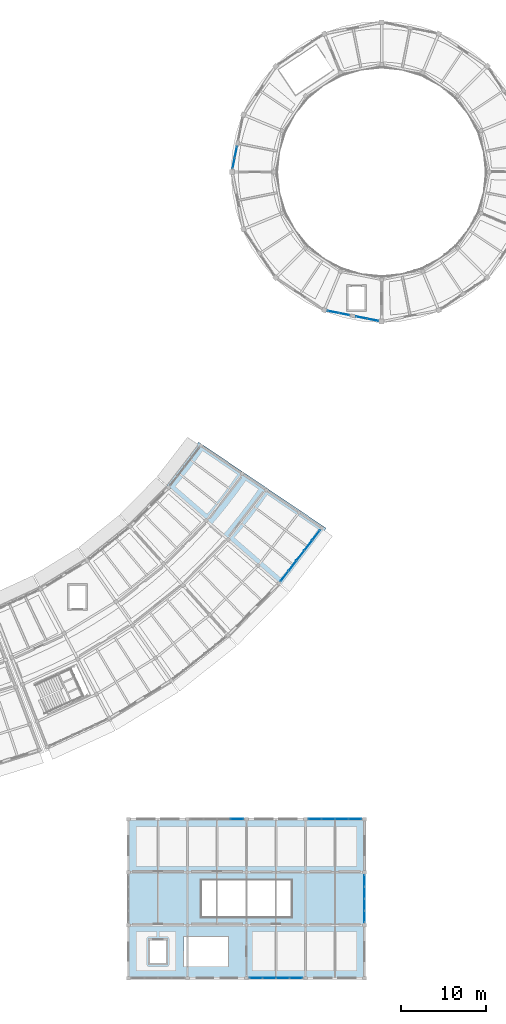
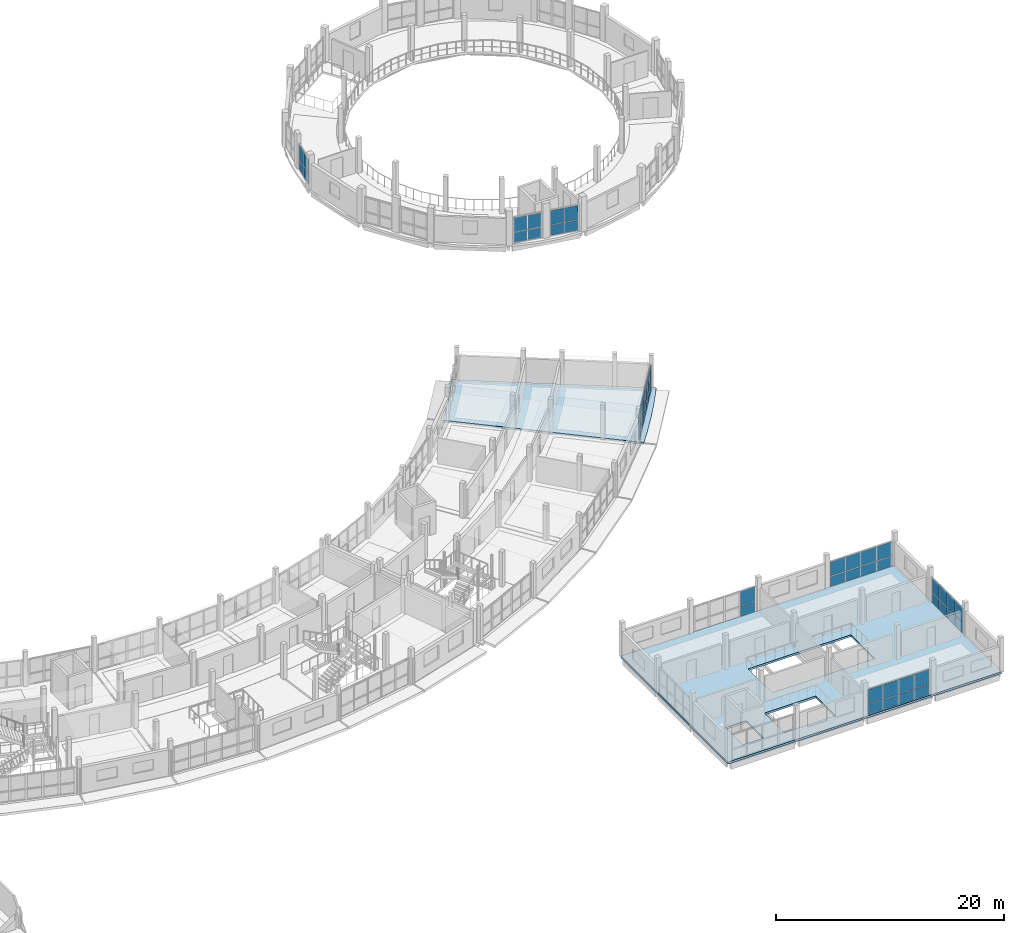
# One storey, part 52 of 77: 48 plates, 2 slabs, 8 elements without a shape of their own.
"""IFC4 building model written with IfcOpenShell, lengths in metres."""

import ifcopenshell
import ifcopenshell.guid

model = None  # the IFC model being written
_history = None  # IfcOwnerHistory: only IFC2X3 demands one
_inside = {}  # id of a spatial element -> (the spatial element, [elements in it])
_under = {}  # id of a project, library or spatial element -> (it, [spatial elements below it])
_declared = {}  # id of a project -> (the project, [libraries it declares])
_typed = {}  # id of a type object -> (the type object, [elements of that type])
_made_of = {}  # id of a material, layer set ... -> (it, [elements and type objects made of it])


def new_model(schema):
    """Start an empty IFC model of exactly this schema.

    Asked for "IFC4X3", IfcOpenShell would pick the latest addendum, in which some entities
    have other attributes; the version numbers below select the first issue.
    IFC2X3 requires an IfcOwnerHistory on every rooted entity: one is made here for all.
    """
    global model, _history
    if schema == "IFC4X3":
        model = ifcopenshell.file(schema_version=(4, 3, 0, 0))
    else:
        model = ifcopenshell.file(schema=schema)
    _inside.clear()
    _under.clear()
    _declared.clear()
    _typed.clear()
    _made_of.clear()
    _history = None
    if model.schema == "IFC2X3":
        org = make("IfcOrganization", Name="unknown")
        user = make(
            "IfcPersonAndOrganization",
            ThePerson=make("IfcPerson", FamilyName="unknown"),
            TheOrganization=org,
        )
        app = make(
            "IfcApplication",
            ApplicationDeveloper=org,
            Version="unknown",
            ApplicationFullName="unknown",
            ApplicationIdentifier="unknown",
        )
        _history = make(
            "IfcOwnerHistory",
            OwningUser=user,
            OwningApplication=app,
            ChangeAction="ADDED",
            CreationDate=0,
        )
    return model


def make(cls, **values):
    """One entity of the class cls with the attributes given. An attribute that is None is left unset."""
    return model.create_entity(
        cls, **{name: value for name, value in values.items() if value is not None}
    )


def rooted(cls, **values):
    """An entity with a GlobalId (a new one), such as an element, a storey or a relation."""
    return make(cls, GlobalId=ifcopenshell.guid.new(), OwnerHistory=_history, **values)


def si_unit(unit_type, name, prefix=None):
    """IfcSIUnit, for example si_unit("LENGTHUNIT", "METRE", prefix="MILLI")."""
    return make("IfcSIUnit", UnitType=unit_type, Prefix=prefix, Name=name)


def assignment(units):
    """IfcUnitAssignment: the units of a project."""
    return None if units is None else make("IfcUnitAssignment", Units=units)


def point(xyz):
    """IfcCartesianPoint."""
    return None if xyz is None else make("IfcCartesianPoint", Coordinates=xyz)


def direction(xyz):
    """IfcDirection."""
    return None if xyz is None else make("IfcDirection", DirectionRatios=xyz)


def frame(location, z_axis=None, x_axis=None):
    """IfcAxis2Placement3D, a coordinate frame: its origin and axes. An axis left out is left unset."""
    return make(
        "IfcAxis2Placement3D",
        Location=point(location),
        Axis=direction(z_axis),
        RefDirection=direction(x_axis),
    )


def frame_2d(location, x_axis=None):
    """IfcAxis2Placement2D, a coordinate frame in the plane: its origin and x axis."""
    return make(
        "IfcAxis2Placement2D", Location=point(location), RefDirection=direction(x_axis)
    )


def origin():
    """The frame at (0, 0, 0) with its axes left unset."""
    return frame((0.0, 0.0, 0.0))


def origin_2d():
    """The frame at (0, 0) in the plane with its x axis left unset."""
    return frame_2d((0.0, 0.0))


def place(relative_to, where):
    """IfcLocalPlacement: puts the frame where relative to a parent placement (None: the world)."""
    return make(
        "IfcLocalPlacement", PlacementRelTo=relative_to, RelativePlacement=where
    )


def context(
    kind, dimensions, precision=None, world=None, true_north=None, identifier=None
):
    """IfcGeometricRepresentationContext, for example the 3D "Model" context."""
    return make(
        "IfcGeometricRepresentationContext",
        ContextIdentifier=identifier,
        ContextType=kind,
        CoordinateSpaceDimension=dimensions,
        Precision=precision,
        WorldCoordinateSystem=world,
        TrueNorth=true_north,
    )


def subcontext(parent, identifier, kind, view, scale=None):
    """IfcGeometricRepresentationSubContext, for example "Body" below "Model"."""
    return make(
        "IfcGeometricRepresentationSubContext",
        ContextIdentifier=identifier,
        ContextType=kind,
        ParentContext=parent,
        TargetScale=scale,
        TargetView=view,
    )


def project(units=None, contexts=None):
    """IfcProject with its units and contexts."""
    return rooted(
        "IfcProject",
        Name="project",
        RepresentationContexts=contexts,
        UnitsInContext=assignment(units),
    )


def spatial(cls, under=None, at=None, **own):
    """A site, building, storey or space (cls), placed at a placement, below another one or the project."""
    s = rooted(cls, ObjectPlacement=at, **own)
    if under is not None:
        _under.setdefault(under.id(), (under, []))[1].append(s)
    return s


def polyline(points):
    """IfcPolyline through the points."""
    return make("IfcPolyline", Points=[point(p) for p in points])


def profile(cls, at=None, kind="AREA", **sizes):
    """A parametric profile (cls). Its sizes go by their IFC names, for example OverallWidth=200.0."""
    return make(cls, ProfileType=kind, Position=at, **sizes)


def rectangle(**sizes):
    """IfcRectangleProfileDef."""
    return profile("IfcRectangleProfileDef", **sizes)


def outline(outer, holes=None, kind="AREA"):
    """IfcArbitraryClosedProfileDef: a profile drawn as a closed curve; with holes, ...WithVoids."""
    if holes is None:
        return make("IfcArbitraryClosedProfileDef", ProfileType=kind, OuterCurve=outer)
    return make(
        "IfcArbitraryProfileDefWithVoids",
        ProfileType=kind,
        OuterCurve=outer,
        InnerCurves=holes,
    )


def extrude(swept, where, along, depth):
    """IfcExtrudedAreaSolid: the profile swept, set in the frame where, extruded along a direction by depth."""
    return make(
        "IfcExtrudedAreaSolid",
        SweptArea=swept,
        Position=where,
        ExtrudedDirection=direction(along),
        Depth=depth,
    )


def shape(context_of_items, identifier, shape_type, items):
    """IfcShapeRepresentation: the items that make up one representation, for example the "Body"."""
    return make(
        "IfcShapeRepresentation",
        ContextOfItems=context_of_items,
        RepresentationIdentifier=identifier,
        RepresentationType=shape_type,
        Items=items,
    )


def material(Name=None, Category=None):
    """IfcMaterial."""
    return make("IfcMaterial", Name=Name, Category=Category)


def layer(
    of_material, thickness, ventilated=None, Name=None, Category=None, Priority=None
):
    """IfcMaterialLayer: one layer of a wall or slab, of a material (None: an air gap)."""
    return make(
        "IfcMaterialLayer",
        Material=of_material,
        LayerThickness=thickness,
        IsVentilated=ventilated,
        Name=Name,
        Category=Category,
        Priority=Priority,
    )


def layer_set(layers, Name=None):
    """IfcMaterialLayerSet."""
    return make("IfcMaterialLayerSet", MaterialLayers=layers, LayerSetName=Name)


def made_of(thing, what):
    """Note that an element or type object is made of a material, layer set ...; save() writes the relation."""
    if what is not None:
        _made_of.setdefault(what.id(), (what, []))[1].append(thing)
    return thing


def type_object(cls, material=None, **own):
    """A type object (cls), such as IfcWallType, which elements share."""
    return made_of(rooted(cls, **own), material)


def element(
    cls,
    number,
    at=None,
    inside=None,
    cuts=None,
    type_object=None,
    material=None,
    context=None,
    identifier="Body",
    shape_type=None,
    held_by="IfcProductDefinitionShape",
    body=None,
    shapes=None,
    **own,
):
    """One element of the class cls, such as IfcWall. Its Tag is "e" and its number.

    at: its placement. inside: the storey or other place that contains it. cuts: it is an
    opening in that element (IfcRelVoidsElement). A single representation is given by context,
    identifier, shape_type and body (its items); several are given by shapes. held_by: the class
    of the entity that holds the representations. save() writes the other relations.
    """
    e = rooted(cls, Tag="e%d" % number, ObjectPlacement=at, **own)
    if body is not None:
        shapes = [shape(context, identifier, shape_type, body)]
    if shapes is not None:
        e.Representation = make(held_by, Representations=shapes)
    if inside is not None:
        _inside.setdefault(inside.id(), (inside, []))[1].append(e)
    if cuts is not None:
        rooted(
            "IfcRelVoidsElement", RelatingBuildingElement=cuts, RelatedOpeningElement=e
        )
    if type_object is not None:
        _typed.setdefault(type_object.id(), (type_object, []))[1].append(e)
    return made_of(e, material)


def aggregate(whole, parts):
    """IfcRelAggregates: a whole, such as a stair, and the parts it consists of."""
    return rooted("IfcRelAggregates", RelatingObject=whole, RelatedObjects=parts)


def save(model, path):
    """Write the relations noted so far, then the file.

    IfcRelAggregates (storeys below a building ...), IfcRelContainedInSpatialStructure (elements
    in a storey), IfcRelDefinesByType, IfcRelAssociatesMaterial and IfcRelDeclares: one each for
    every whole, place, type object, material and project.
    """
    for whole, parts in _under.values():
        aggregate(whole, parts)
    for where, things in _inside.values():
        rooted(
            "IfcRelContainedInSpatialStructure",
            RelatedElements=things,
            RelatingStructure=where,
        )
    for kind, things in _typed.values():
        rooted("IfcRelDefinesByType", RelatedObjects=things, RelatingType=kind)
    for what, things in _made_of.values():
        rooted("IfcRelAssociatesMaterial", RelatedObjects=things, RelatingMaterial=what)
    for by, libraries in _declared.values():
        rooted("IfcRelDeclares", RelatingContext=by, RelatedDefinitions=libraries)
    model.write(path)


model = new_model("IFC4")

# Units and contexts
model_context = context("Model", 3, precision=1e-05, world=origin(), true_north=direction((0.0, 1.0)))
body_context = subcontext(model_context, "Body", "Model", "MODEL_VIEW")
ifc_project = project(units=[si_unit("LENGTHUNIT", "METRE"), si_unit("AREAUNIT", "SQUARE_METRE"), si_unit("VOLUMEUNIT", "CUBIC_METRE"), si_unit("PLANEANGLEUNIT", "RADIAN"), si_unit("MASSUNIT", "GRAM", prefix="KILO")], contexts=[model_context])

# Site, building, storey
site_placement = place(None, origin())
site = spatial("IfcSite", under=ifc_project, at=site_placement, CompositionType="ELEMENT")
building_placement = place(site_placement, origin())
building = spatial("IfcBuilding", under=site, at=building_placement, Name="Caldaven Crescent School", CompositionType="ELEMENT")
storey_placement = place(building_placement, frame((0.0, 0.0, 4.419921875)))
storey = spatial("IfcBuildingStorey", under=building, at=storey_placement, Name="L01", CompositionType="ELEMENT", Elevation=4.419921875)

# Curtain wall, plates
ifc_material_1 = material(Name="Anodised aluminium AA 6063-T6 and low-E double glazing", Category="aluminium")
ifc_layer_1 = layer(ifc_material_1, 0.169921875)
ifc_layer_set_1 = layer_set([ifc_layer_1], Name="Anodised aluminium AA 6063-T6 and low-E double glazing")
curtain_wall_type_1 = type_object("IfcCurtainWallType", Name="CW-SYS1", PredefinedType="NOTDEFINED", material=ifc_layer_set_1)
curtain_wall_1_placement = place(storey_placement, origin())
curtain_wall_1 = element("IfcCurtainWall", 1, at=curtain_wall_1_placement, inside=storey, type_object=curtain_wall_type_1, Name="CW-L01-024", PredefinedType="NOTDEFINED")
ifc_material_2 = material(Name="Tempered low-E double glazing IGU", Category="glass")
ifc_layer_2 = layer(ifc_material_2, 0.02587890625)
ifc_layer_set_2 = layer_set([ifc_layer_2], Name="Tempered low-E double glazing IGU")
plate_type_1 = type_object("IfcPlateType", Name="PLT-CWP01", PredefinedType="CURTAIN_PANEL", material=ifc_layer_set_2)
plate_1_placement = place(storey_placement, frame((135.4609375, 100.817626953125, 0.06494140625), z_axis=(0.0, 0.0, 1.0), x_axis=(-0.195090276825, -0.980785289392, 0.0)))
plate_1 = element("IfcPlate", 2, at=plate_1_placement, type_object=plate_type_1, Name="CW1 panel 1.1", PredefinedType="CURTAIN_PANEL", context=body_context, shape_type="SweptSolid", body=[
    extrude(rectangle(XDim=1.241943359375, YDim=0.02587890625, at=origin_2d()), origin(), (0.0, 0.0, 1.0), 1.070556640625),
])
plate_2_placement = place(storey_placement, frame((135.4609375, 100.817626953125, 1.20068359375), z_axis=(0.0, 0.0, 1.0), x_axis=(-0.195090276825, -0.980785289392, 0.0)))
plate_2 = element("IfcPlate", 3, at=plate_2_placement, type_object=plate_type_1, Name="CW1 panel 1.2", PredefinedType="CURTAIN_PANEL", context=body_context, shape_type="SweptSolid", body=[
    extrude(rectangle(XDim=1.241943359375, YDim=0.02587890625, at=origin_2d()), origin(), (0.0, 0.0, 1.0), 1.514404296875),
])
plate_3_placement = place(storey_placement, frame((135.205078125, 99.53076171875, 0.06494140625), z_axis=(0.0, 0.0, 1.0), x_axis=(-0.195090276825, -0.980785289392, 0.0)))
plate_3 = element("IfcPlate", 4, at=plate_3_placement, type_object=plate_type_1, Name="CW1 panel 2.1", PredefinedType="CURTAIN_PANEL", context=body_context, shape_type="SweptSolid", body=[
    extrude(rectangle(XDim=1.241943359375, YDim=0.02587890625, at=origin_2d()), origin(), (0.0, 0.0, 1.0), 1.070556640625),
])
plate_4_placement = place(storey_placement, frame((135.205078125, 99.53076171875, 1.20068359375), z_axis=(0.0, 0.0, 1.0), x_axis=(-0.195090276825, -0.980785289392, 0.0)))
plate_4 = element("IfcPlate", 5, at=plate_4_placement, type_object=plate_type_1, Name="CW1 panel 2.2", PredefinedType="CURTAIN_PANEL", context=body_context, shape_type="SweptSolid", body=[
    extrude(rectangle(XDim=1.241943359375, YDim=0.02587890625, at=origin_2d()), origin(), (0.0, 0.0, 1.0), 1.514404296875),
])
aggregate(curtain_wall_1, [plate_1, plate_2, plate_3, plate_4])

ifc_layer_3 = layer(ifc_material_1, 0.22998046875)
ifc_layer_set_3 = layer_set([ifc_layer_3], Name="Anodised aluminium AA 6063-T6 and low-E double glazing")
curtain_wall_type_2 = type_object("IfcCurtainWallType", Name="CW-SYS4", PredefinedType="NOTDEFINED", material=ifc_layer_set_3)
curtain_wall_2_placement = place(storey_placement, origin())
curtain_wall_2 = element("IfcCurtainWall", 6, at=curtain_wall_2_placement, inside=storey, type_object=curtain_wall_type_2, Name="CW-L01-027", PredefinedType="NOTDEFINED")
ifc_layer_4 = layer(ifc_material_2, 0.031982421875)
ifc_layer_set_4 = layer_set([ifc_layer_4], Name="Tempered low-E double glazing IGU")
plate_type_2 = type_object("IfcPlateType", Name="PLT-CWP04", PredefinedType="CURTAIN_PANEL", material=ifc_layer_set_4)
plate_5_placement = place(storey_placement, frame((146.833984375, 82.126953125, 0.070068359375), z_axis=(0.0, 0.0, 1.0), x_axis=(0.980785289392, -0.195090276825, 0.0)))
plate_5 = element("IfcPlate", 7, at=plate_5_placement, type_object=plate_type_2, Name="CW4 panel 1.1", PredefinedType="CURTAIN_PANEL", context=body_context, shape_type="SweptSolid", body=[
    extrude(rectangle(XDim=1.241943359375, YDim=0.031982421875, at=origin_2d()), origin(), (0.0, 0.0, 1.0), 1.06298828125),
])
plate_6_placement = place(storey_placement, frame((146.833984375, 82.126953125, 1.203125), z_axis=(0.0, 0.0, 1.0), x_axis=(0.980785289392, -0.195090276825, 0.0)))
plate_6 = element("IfcPlate", 8, at=plate_6_placement, type_object=plate_type_2, Name="CW4 panel 1.2", PredefinedType="CURTAIN_PANEL", context=body_context, shape_type="SweptSolid", body=[
    extrude(rectangle(XDim=1.241943359375, YDim=0.031982421875, at=origin_2d()), origin(), (0.0, 0.0, 1.0), 1.507080078125),
])
plate_7_placement = place(storey_placement, frame((148.12060546875, 81.87109375, 0.070068359375), z_axis=(0.0, 0.0, 1.0), x_axis=(0.980785289392, -0.195090276825, 0.0)))
plate_7 = element("IfcPlate", 9, at=plate_7_placement, type_object=plate_type_2, Name="CW4 panel 2.1", PredefinedType="CURTAIN_PANEL", context=body_context, shape_type="SweptSolid", body=[
    extrude(rectangle(XDim=1.241943359375, YDim=0.031982421875, at=origin_2d()), origin(), (0.0, 0.0, 1.0), 1.06298828125),
])
plate_8_placement = place(storey_placement, frame((148.12060546875, 81.87109375, 1.203125), z_axis=(0.0, 0.0, 1.0), x_axis=(0.980785289392, -0.195090276825, 0.0)))
plate_8 = element("IfcPlate", 10, at=plate_8_placement, type_object=plate_type_2, Name="CW4 panel 2.2", PredefinedType="CURTAIN_PANEL", context=body_context, shape_type="SweptSolid", body=[
    extrude(rectangle(XDim=1.241943359375, YDim=0.031982421875, at=origin_2d()), origin(), (0.0, 0.0, 1.0), 1.507080078125),
])
aggregate(curtain_wall_2, [plate_5, plate_6, plate_7, plate_8])

curtain_wall_3_placement = place(storey_placement, origin())
curtain_wall_3 = element("IfcCurtainWall", 11, at=curtain_wall_3_placement, inside=storey, type_object=curtain_wall_type_1, Name="CW-L01-028", PredefinedType="NOTDEFINED")
ifc_layer_5 = layer(ifc_material_2, 0.033935546875)
ifc_layer_set_5 = layer_set([ifc_layer_5], Name="Tempered low-E double glazing IGU")
plate_type_3 = type_object("IfcPlateType", Name="PLT-CWP05", PredefinedType="CURTAIN_PANEL", material=ifc_layer_set_5)
plate_9_placement = place(storey_placement, frame((150.179931640625, 81.46142578125, 0.06005859375), z_axis=(0.0, 0.0, 1.0), x_axis=(0.980785289392, -0.195090276825, 0.0)))
plate_9 = element("IfcPlate", 12, at=plate_9_placement, type_object=plate_type_3, Name="CW1 panel 1.1", PredefinedType="CURTAIN_PANEL", context=body_context, shape_type="SweptSolid", body=[
    extrude(rectangle(XDim=1.257080078125, YDim=0.033935546875, at=origin_2d()), origin(), (0.0, 0.0, 1.0), 1.077880859375),
])
plate_10_placement = place(storey_placement, frame((150.179931640625, 81.46142578125, 1.197998046875), z_axis=(0.0, 0.0, 1.0), x_axis=(0.980785289392, -0.195090276825, 0.0)))
plate_10 = element("IfcPlate", 13, at=plate_10_placement, type_object=plate_type_3, Name="CW1 panel 1.2", PredefinedType="CURTAIN_PANEL", context=body_context, shape_type="SweptSolid", body=[
    extrude(rectangle(XDim=1.257080078125, YDim=0.033935546875, at=origin_2d()), origin(), (0.0, 0.0, 1.0), 1.52197265625),
])
plate_11_placement = place(storey_placement, frame((151.4716796875, 81.20458984375, 0.06005859375), z_axis=(0.0, 0.0, 1.0), x_axis=(0.980785289392, -0.195090276825, 0.0)))
plate_11 = element("IfcPlate", 14, at=plate_11_placement, type_object=plate_type_3, Name="CW1 panel 2.1", PredefinedType="CURTAIN_PANEL", context=body_context, shape_type="SweptSolid", body=[
    extrude(rectangle(XDim=1.257080078125, YDim=0.033935546875, at=origin_2d()), origin(), (0.0, 0.0, 1.0), 1.077880859375),
])
plate_12_placement = place(storey_placement, frame((151.4716796875, 81.20458984375, 1.197998046875), z_axis=(0.0, 0.0, 1.0), x_axis=(0.980785289392, -0.195090276825, 0.0)))
plate_12 = element("IfcPlate", 15, at=plate_12_placement, type_object=plate_type_3, Name="CW1 panel 2.2", PredefinedType="CURTAIN_PANEL", context=body_context, shape_type="SweptSolid", body=[
    extrude(rectangle(XDim=1.257080078125, YDim=0.033935546875, at=origin_2d()), origin(), (0.0, 0.0, 1.0), 1.52197265625),
])
aggregate(curtain_wall_3, [plate_9, plate_10, plate_11, plate_12])

ifc_layer_6 = layer(ifc_material_1, 0.2099609375)
ifc_layer_set_6 = layer_set([ifc_layer_6], Name="Anodised aluminium AA 6063-T6 and low-E double glazing")
curtain_wall_type_3 = type_object("IfcCurtainWallType", Name="CW-SYS3", PredefinedType="NOTDEFINED", material=ifc_layer_set_6)
curtain_wall_4_placement = place(storey_placement, origin())
curtain_wall_4 = element("IfcCurtainWall", 16, at=curtain_wall_4_placement, inside=storey, type_object=curtain_wall_type_3, Name="CW-L01-085", PredefinedType="NOTDEFINED")
ifc_layer_7 = layer(ifc_material_2, 0.052001953125)
ifc_layer_set_7 = layer_set([ifc_layer_7], Name="Tempered low-E double glazing IGU")
plate_type_4 = type_object("IfcPlateType", Name="PLT-CWP14", PredefinedType="CURTAIN_PANEL", material=ifc_layer_set_7)
plate_13_placement = place(storey_placement, frame((137.804931640625, 4.199951171875, 0.06494140625), z_axis=(0.0, 0.0, 1.0), x_axis=(1.0, 0.0, 0.0)))
plate_13 = element("IfcPlate", 17, at=plate_13_placement, type_object=plate_type_4, Name="CW3 panel 1.1", PredefinedType="CURTAIN_PANEL", context=body_context, shape_type="SweptSolid", body=[
    extrude(rectangle(XDim=1.469970703125, YDim=0.052001953125, at=origin_2d()), origin(), (0.0, 0.0, 1.0), 1.070556640625),
])
plate_14_placement = place(storey_placement, frame((137.804931640625, 4.199951171875, 1.20068359375), z_axis=(0.0, 0.0, 1.0), x_axis=(1.0, 0.0, 0.0)))
plate_14 = element("IfcPlate", 18, at=plate_14_placement, type_object=plate_type_4, Name="CW3 panel 1.2", PredefinedType="CURTAIN_PANEL", context=body_context, shape_type="SweptSolid", body=[
    extrude(rectangle(XDim=1.469970703125, YDim=0.052001953125, at=origin_2d()), origin(), (0.0, 0.0, 1.0), 1.514404296875),
])
plate_15_placement = place(storey_placement, frame((139.362548828125, 4.199951171875, 0.06494140625), z_axis=(0.0, 0.0, 1.0), x_axis=(1.0, 0.0, 0.0)))
plate_15 = element("IfcPlate", 19, at=plate_15_placement, type_object=plate_type_4, Name="CW3 panel 2.1", PredefinedType="CURTAIN_PANEL", context=body_context, shape_type="SweptSolid", body=[
    extrude(rectangle(XDim=1.5048828125, YDim=0.052001953125, at=origin_2d()), origin(), (0.0, 0.0, 1.0), 1.070556640625),
])
plate_16_placement = place(storey_placement, frame((139.362548828125, 4.199951171875, 1.20068359375), z_axis=(0.0, 0.0, 1.0), x_axis=(1.0, 0.0, 0.0)))
plate_16 = element("IfcPlate", 20, at=plate_16_placement, type_object=plate_type_4, Name="CW3 panel 2.2", PredefinedType="CURTAIN_PANEL", context=body_context, shape_type="SweptSolid", body=[
    extrude(rectangle(XDim=1.5048828125, YDim=0.052001953125, at=origin_2d()), origin(), (0.0, 0.0, 1.0), 1.514404296875),
])
plate_17_placement = place(storey_placement, frame((140.9375, 4.199951171875, 0.06494140625), z_axis=(0.0, 0.0, 1.0), x_axis=(1.0, 0.0, 0.0)))
plate_17 = element("IfcPlate", 21, at=plate_17_placement, type_object=plate_type_4, Name="CW3 panel 3.1", PredefinedType="CURTAIN_PANEL", context=body_context, shape_type="SweptSolid", body=[
    extrude(rectangle(XDim=1.5048828125, YDim=0.052001953125, at=origin_2d()), origin(), (0.0, 0.0, 1.0), 1.070556640625),
])
plate_18_placement = place(storey_placement, frame((140.9375, 4.199951171875, 1.20068359375), z_axis=(0.0, 0.0, 1.0), x_axis=(1.0, 0.0, 0.0)))
plate_18 = element("IfcPlate", 22, at=plate_18_placement, type_object=plate_type_4, Name="CW3 panel 3.2", PredefinedType="CURTAIN_PANEL", context=body_context, shape_type="SweptSolid", body=[
    extrude(rectangle(XDim=1.5048828125, YDim=0.052001953125, at=origin_2d()), origin(), (0.0, 0.0, 1.0), 1.514404296875),
])
plate_19_placement = place(storey_placement, frame((142.4951171875, 4.199951171875, 0.06494140625), z_axis=(0.0, 0.0, 1.0), x_axis=(1.0, 0.0, 0.0)))
plate_19 = element("IfcPlate", 23, at=plate_19_placement, type_object=plate_type_4, Name="CW3 panel 4.1", PredefinedType="CURTAIN_PANEL", context=body_context, shape_type="SweptSolid", body=[
    extrude(rectangle(XDim=1.469970703125, YDim=0.052001953125, at=origin_2d()), origin(), (0.0, 0.0, 1.0), 1.070556640625),
])
plate_20_placement = place(storey_placement, frame((142.4951171875, 4.199951171875, 1.20068359375), z_axis=(0.0, 0.0, 1.0), x_axis=(1.0, 0.0, 0.0)))
plate_20 = element("IfcPlate", 24, at=plate_20_placement, type_object=plate_type_4, Name="CW3 panel 4.2", PredefinedType="CURTAIN_PANEL", context=body_context, shape_type="SweptSolid", body=[
    extrude(rectangle(XDim=1.469970703125, YDim=0.052001953125, at=origin_2d()), origin(), (0.0, 0.0, 1.0), 1.514404296875),
])
aggregate(curtain_wall_4, [plate_13, plate_14, plate_15, plate_16, plate_17, plate_18, plate_19, plate_20])

curtain_wall_5_placement = place(storey_placement, origin())
curtain_wall_5 = element("IfcCurtainWall", 25, at=curtain_wall_5_placement, inside=storey, type_object=curtain_wall_type_3, Name="CW-L01-086", PredefinedType="NOTDEFINED")
ifc_layer_8 = layer(ifc_material_2, 0.053955078125)
ifc_layer_set_8 = layer_set([ifc_layer_8], Name="Tempered low-E double glazing IGU")
plate_type_5 = type_object("IfcPlateType", Name="PLT-CWP15", PredefinedType="CURTAIN_PANEL", material=ifc_layer_set_8)
plate_21_placement = place(storey_placement, frame((135.594970703125, 22.800048828125, 0.06494140625), z_axis=(0.0, 0.0, 1.0), x_axis=(1.0, 0.0, 0.0)))
plate_21 = element("IfcPlate", 26, at=plate_21_placement, type_object=plate_type_5, Name="CW3 panel 4.1", PredefinedType="CURTAIN_PANEL", context=body_context, shape_type="SweptSolid", body=[
    extrude(rectangle(XDim=1.469970703125, YDim=0.053955078125, at=origin_2d()), origin(), (0.0, 0.0, 1.0), 1.070556640625),
])
plate_22_placement = place(storey_placement, frame((135.594970703125, 22.800048828125, 1.20068359375), z_axis=(0.0, 0.0, 1.0), x_axis=(1.0, 0.0, 0.0)))
plate_22 = element("IfcPlate", 27, at=plate_22_placement, type_object=plate_type_5, Name="CW3 panel 4.2", PredefinedType="CURTAIN_PANEL", context=body_context, shape_type="SweptSolid", body=[
    extrude(rectangle(XDim=1.469970703125, YDim=0.053955078125, at=origin_2d()), origin(), (0.0, 0.0, 1.0), 1.514404296875),
])
aggregate(curtain_wall_5, [plate_21, plate_22])

curtain_wall_6_placement = place(storey_placement, origin())
curtain_wall_6 = element("IfcCurtainWall", 28, at=curtain_wall_6_placement, inside=storey, type_object=curtain_wall_type_1, Name="CW-L01-087", PredefinedType="NOTDEFINED")
ifc_layer_9 = layer(ifc_material_2, 0.055908203125)
ifc_layer_set_9 = layer_set([ifc_layer_9], Name="Tempered low-E double glazing IGU")
plate_type_6 = type_object("IfcPlateType", Name="PLT-CWP16", PredefinedType="CURTAIN_PANEL", material=ifc_layer_set_9)
plate_23_placement = place(storey_placement, frame((144.703857421875, 22.800048828125, 0.070068359375), z_axis=(0.0, 0.0, 1.0), x_axis=(1.0, 0.0, 0.0)))
plate_23 = element("IfcPlate", 29, at=plate_23_placement, type_object=plate_type_6, Name="CW1 panel 1.1", PredefinedType="CURTAIN_PANEL", context=body_context, shape_type="SweptSolid", body=[
    extrude(rectangle(XDim=1.4775390625, YDim=0.055908203125, at=origin_2d()), origin(), (0.0, 0.0, 1.0), 1.06298828125),
])
plate_24_placement = place(storey_placement, frame((144.703857421875, 22.800048828125, 1.203125), z_axis=(0.0, 0.0, 1.0), x_axis=(1.0, 0.0, 0.0)))
plate_24 = element("IfcPlate", 30, at=plate_24_placement, type_object=plate_type_6, Name="CW1 panel 1.2", PredefinedType="CURTAIN_PANEL", context=body_context, shape_type="SweptSolid", body=[
    extrude(rectangle(XDim=1.4775390625, YDim=0.055908203125, at=origin_2d()), origin(), (0.0, 0.0, 1.0), 1.507080078125),
])
plate_25_placement = place(storey_placement, frame((146.262451171875, 22.800048828125, 0.070068359375), z_axis=(0.0, 0.0, 1.0), x_axis=(1.0, 0.0, 0.0)))
plate_25 = element("IfcPlate", 31, at=plate_25_placement, type_object=plate_type_6, Name="CW1 panel 2.1", PredefinedType="CURTAIN_PANEL", context=body_context, shape_type="SweptSolid", body=[
    extrude(rectangle(XDim=1.510009765625, YDim=0.055908203125, at=origin_2d()), origin(), (0.0, 0.0, 1.0), 1.06298828125),
])
plate_26_placement = place(storey_placement, frame((146.262451171875, 22.800048828125, 1.203125), z_axis=(0.0, 0.0, 1.0), x_axis=(1.0, 0.0, 0.0)))
plate_26 = element("IfcPlate", 32, at=plate_26_placement, type_object=plate_type_6, Name="CW1 panel 2.2", PredefinedType="CURTAIN_PANEL", context=body_context, shape_type="SweptSolid", body=[
    extrude(rectangle(XDim=1.510009765625, YDim=0.055908203125, at=origin_2d()), origin(), (0.0, 0.0, 1.0), 1.507080078125),
])
plate_27_placement = place(storey_placement, frame((147.83740234375, 22.800048828125, 0.070068359375), z_axis=(0.0, 0.0, 1.0), x_axis=(1.0, 0.0, 0.0)))
plate_27 = element("IfcPlate", 33, at=plate_27_placement, type_object=plate_type_6, Name="CW1 panel 3.1", PredefinedType="CURTAIN_PANEL", context=body_context, shape_type="SweptSolid", body=[
    extrude(rectangle(XDim=1.510009765625, YDim=0.055908203125, at=origin_2d()), origin(), (0.0, 0.0, 1.0), 1.06298828125),
])
plate_28_placement = place(storey_placement, frame((147.83740234375, 22.800048828125, 1.203125), z_axis=(0.0, 0.0, 1.0), x_axis=(1.0, 0.0, 0.0)))
plate_28 = element("IfcPlate", 34, at=plate_28_placement, type_object=plate_type_6, Name="CW1 panel 3.2", PredefinedType="CURTAIN_PANEL", context=body_context, shape_type="SweptSolid", body=[
    extrude(rectangle(XDim=1.510009765625, YDim=0.055908203125, at=origin_2d()), origin(), (0.0, 0.0, 1.0), 1.507080078125),
])
plate_29_placement = place(storey_placement, frame((149.396240234375, 22.800048828125, 0.070068359375), z_axis=(0.0, 0.0, 1.0), x_axis=(1.0, 0.0, 0.0)))
plate_29 = element("IfcPlate", 35, at=plate_29_placement, type_object=plate_type_6, Name="CW1 panel 4.1", PredefinedType="CURTAIN_PANEL", context=body_context, shape_type="SweptSolid", body=[
    extrude(rectangle(XDim=1.4775390625, YDim=0.055908203125, at=origin_2d()), origin(), (0.0, 0.0, 1.0), 1.06298828125),
])
plate_30_placement = place(storey_placement, frame((149.396240234375, 22.800048828125, 1.203125), z_axis=(0.0, 0.0, 1.0), x_axis=(1.0, 0.0, 0.0)))
plate_30 = element("IfcPlate", 36, at=plate_30_placement, type_object=plate_type_6, Name="CW1 panel 4.2", PredefinedType="CURTAIN_PANEL", context=body_context, shape_type="SweptSolid", body=[
    extrude(rectangle(XDim=1.4775390625, YDim=0.055908203125, at=origin_2d()), origin(), (0.0, 0.0, 1.0), 1.507080078125),
])
aggregate(curtain_wall_6, [plate_23, plate_24, plate_25, plate_26, plate_27, plate_28, plate_29, plate_30])

curtain_wall_7_placement = place(storey_placement, origin())
curtain_wall_7 = element("IfcCurtainWall", 37, at=curtain_wall_7_placement, inside=storey, type_object=curtain_wall_type_3, Name="CW-L01-135", PredefinedType="NOTDEFINED")
plate_31_placement = place(storey_placement, frame((141.146728515625, 51.22314453125, 0.06005859375), z_axis=(0.0, 0.0, 1.0), x_axis=(0.610385833254, 0.792104244757, 0.0)))
plate_31 = element("IfcPlate", 38, at=plate_31_placement, type_object=plate_type_6, Name="CW3 panel 1.1", PredefinedType="CURTAIN_PANEL", context=body_context, shape_type="SweptSolid", body=[
    extrude(rectangle(XDim=1.431396484375, YDim=0.055908203125, at=origin_2d()), origin(), (0.0, 0.0, 1.0), 1.077880859375),
])
plate_32_placement = place(storey_placement, frame((141.146728515625, 51.22314453125, 1.197998046875), z_axis=(0.0, 0.0, 1.0), x_axis=(0.610385833254, 0.792104244757, 0.0)))
plate_32 = element("IfcPlate", 39, at=plate_32_placement, type_object=plate_type_6, Name="CW3 panel 1.2", PredefinedType="CURTAIN_PANEL", context=body_context, shape_type="SweptSolid", body=[
    extrude(rectangle(XDim=1.431396484375, YDim=0.055908203125, at=origin_2d()), origin(), (0.0, 0.0, 1.0), 1.52197265625),
])
plate_33_placement = place(storey_placement, frame((142.066162109375, 52.41650390625, 0.06005859375), z_axis=(0.0, 0.0, 1.0), x_axis=(0.610385833254, 0.792104244757, 0.0)))
plate_33 = element("IfcPlate", 40, at=plate_33_placement, type_object=plate_type_6, Name="CW3 panel 2.1", PredefinedType="CURTAIN_PANEL", context=body_context, shape_type="SweptSolid", body=[
    extrude(rectangle(XDim=1.46142578125, YDim=0.055908203125, at=origin_2d()), origin(), (0.0, 0.0, 1.0), 1.077880859375),
])
plate_34_placement = place(storey_placement, frame((142.066162109375, 52.41650390625, 1.197998046875), z_axis=(0.0, 0.0, 1.0), x_axis=(0.610385833254, 0.792104244757, 0.0)))
plate_34 = element("IfcPlate", 41, at=plate_34_placement, type_object=plate_type_6, Name="CW3 panel 2.2", PredefinedType="CURTAIN_PANEL", context=body_context, shape_type="SweptSolid", body=[
    extrude(rectangle(XDim=1.46142578125, YDim=0.055908203125, at=origin_2d()), origin(), (0.0, 0.0, 1.0), 1.52197265625),
])
plate_35_placement = place(storey_placement, frame((142.994873046875, 53.62158203125, 0.06005859375), z_axis=(0.0, 0.0, 1.0), x_axis=(0.610385833254, 0.792104244757, 0.0)))
plate_35 = element("IfcPlate", 42, at=plate_35_placement, type_object=plate_type_6, Name="CW3 panel 3.1", PredefinedType="CURTAIN_PANEL", context=body_context, shape_type="SweptSolid", body=[
    extrude(rectangle(XDim=1.46142578125, YDim=0.055908203125, at=origin_2d()), origin(), (0.0, 0.0, 1.0), 1.077880859375),
])
plate_36_placement = place(storey_placement, frame((142.994873046875, 53.62158203125, 1.197998046875), z_axis=(0.0, 0.0, 1.0), x_axis=(0.610385833254, 0.792104244757, 0.0)))
plate_36 = element("IfcPlate", 43, at=plate_36_placement, type_object=plate_type_6, Name="CW3 panel 3.2", PredefinedType="CURTAIN_PANEL", context=body_context, shape_type="SweptSolid", body=[
    extrude(rectangle(XDim=1.46142578125, YDim=0.055908203125, at=origin_2d()), origin(), (0.0, 0.0, 1.0), 1.52197265625),
])
plate_37_placement = place(storey_placement, frame((143.923583984375, 54.826904296875, 0.06005859375), z_axis=(0.0, 0.0, 1.0), x_axis=(0.610385833254, 0.792104244757, 0.0)))
plate_37 = element("IfcPlate", 44, at=plate_37_placement, type_object=plate_type_6, Name="CW3 panel 4.1", PredefinedType="CURTAIN_PANEL", context=body_context, shape_type="SweptSolid", body=[
    extrude(rectangle(XDim=1.46142578125, YDim=0.055908203125, at=origin_2d()), origin(), (0.0, 0.0, 1.0), 1.077880859375),
])
plate_38_placement = place(storey_placement, frame((143.923583984375, 54.826904296875, 1.197998046875), z_axis=(0.0, 0.0, 1.0), x_axis=(0.610385833254, 0.792104244757, 0.0)))
plate_38 = element("IfcPlate", 45, at=plate_38_placement, type_object=plate_type_6, Name="CW3 panel 4.2", PredefinedType="CURTAIN_PANEL", context=body_context, shape_type="SweptSolid", body=[
    extrude(rectangle(XDim=1.46142578125, YDim=0.055908203125, at=origin_2d()), origin(), (0.0, 0.0, 1.0), 1.52197265625),
])
plate_39_placement = place(storey_placement, frame((144.843017578125, 56.02001953125, 0.06005859375), z_axis=(0.0, 0.0, 1.0), x_axis=(0.610385833254, 0.792104244757, 0.0)))
plate_39 = element("IfcPlate", 46, at=plate_39_placement, type_object=plate_type_6, Name="CW3 panel 5.1", PredefinedType="CURTAIN_PANEL", context=body_context, shape_type="SweptSolid", body=[
    extrude(rectangle(XDim=1.431396484375, YDim=0.055908203125, at=origin_2d()), origin(), (0.0, 0.0, 1.0), 1.077880859375),
])
plate_40_placement = place(storey_placement, frame((144.843017578125, 56.02001953125, 1.197998046875), z_axis=(0.0, 0.0, 1.0), x_axis=(0.610385833254, 0.792104244757, 0.0)))
plate_40 = element("IfcPlate", 47, at=plate_40_placement, type_object=plate_type_6, Name="CW3 panel 5.2", PredefinedType="CURTAIN_PANEL", context=body_context, shape_type="SweptSolid", body=[
    extrude(rectangle(XDim=1.431396484375, YDim=0.055908203125, at=origin_2d()), origin(), (0.0, 0.0, 1.0), 1.52197265625),
])
aggregate(curtain_wall_7, [plate_31, plate_32, plate_33, plate_34, plate_35, plate_36, plate_37, plate_38, plate_39, plate_40])

curtain_wall_8_placement = place(storey_placement, origin())
curtain_wall_8 = element("IfcCurtainWall", 48, at=curtain_wall_8_placement, inside=storey, type_object=curtain_wall_type_3, Name="CW-L01-089", PredefinedType="NOTDEFINED")
ifc_layer_10 = layer(ifc_material_2, 0.06005859375)
ifc_layer_set_10 = layer_set([ifc_layer_10], Name="Tempered low-E double glazing IGU")
plate_type_7 = type_object("IfcPlateType", Name="PLT-CWP18", PredefinedType="CURTAIN_PANEL", material=ifc_layer_set_10)
plate_41_placement = place(storey_placement, frame((150.5, 11.41748046875, 0.06494140625), z_axis=(0.0, 0.0, 1.0), x_axis=(0.0, 1.0, 0.0)))
plate_41 = element("IfcPlate", 49, at=plate_41_placement, type_object=plate_type_7, Name="CW3 panel 1.1", PredefinedType="CURTAIN_PANEL", context=body_context, shape_type="SweptSolid", body=[
    extrude(rectangle(XDim=1.294921875, YDim=0.06005859375, at=origin_2d()), origin(), (0.0, 0.0, 1.0), 1.070556640625),
])
plate_42_placement = place(storey_placement, frame((150.5, 11.41748046875, 1.20068359375), z_axis=(0.0, 0.0, 1.0), x_axis=(0.0, 1.0, 0.0)))
plate_42 = element("IfcPlate", 50, at=plate_42_placement, type_object=plate_type_7, Name="CW3 panel 1.2", PredefinedType="CURTAIN_PANEL", context=body_context, shape_type="SweptSolid", body=[
    extrude(rectangle(XDim=1.294921875, YDim=0.06005859375, at=origin_2d()), origin(), (0.0, 0.0, 1.0), 1.514404296875),
])
plate_43_placement = place(storey_placement, frame((150.5, 12.800048828125, 0.06494140625), z_axis=(0.0, 0.0, 1.0), x_axis=(0.0, 1.0, 0.0)))
plate_43 = element("IfcPlate", 51, at=plate_43_placement, type_object=plate_type_7, Name="CW3 panel 2.1", PredefinedType="CURTAIN_PANEL", context=body_context, shape_type="SweptSolid", body=[
    extrude(rectangle(XDim=1.330078125, YDim=0.06005859375, at=origin_2d()), origin(), (0.0, 0.0, 1.0), 1.070556640625),
])
plate_44_placement = place(storey_placement, frame((150.5, 12.800048828125, 1.20068359375), z_axis=(0.0, 0.0, 1.0), x_axis=(0.0, 1.0, 0.0)))
plate_44 = element("IfcPlate", 52, at=plate_44_placement, type_object=plate_type_7, Name="CW3 panel 2.2", PredefinedType="CURTAIN_PANEL", context=body_context, shape_type="SweptSolid", body=[
    extrude(rectangle(XDim=1.330078125, YDim=0.06005859375, at=origin_2d()), origin(), (0.0, 0.0, 1.0), 1.514404296875),
])
plate_45_placement = place(storey_placement, frame((150.5, 14.199951171875, 0.06494140625), z_axis=(0.0, 0.0, 1.0), x_axis=(0.0, 1.0, 0.0)))
plate_45 = element("IfcPlate", 53, at=plate_45_placement, type_object=plate_type_7, Name="CW3 panel 3.1", PredefinedType="CURTAIN_PANEL", context=body_context, shape_type="SweptSolid", body=[
    extrude(rectangle(XDim=1.330078125, YDim=0.06005859375, at=origin_2d()), origin(), (0.0, 0.0, 1.0), 1.070556640625),
])
plate_46_placement = place(storey_placement, frame((150.5, 14.199951171875, 1.20068359375), z_axis=(0.0, 0.0, 1.0), x_axis=(0.0, 1.0, 0.0)))
plate_46 = element("IfcPlate", 54, at=plate_46_placement, type_object=plate_type_7, Name="CW3 panel 3.2", PredefinedType="CURTAIN_PANEL", context=body_context, shape_type="SweptSolid", body=[
    extrude(rectangle(XDim=1.330078125, YDim=0.06005859375, at=origin_2d()), origin(), (0.0, 0.0, 1.0), 1.514404296875),
])
plate_47_placement = place(storey_placement, frame((150.5, 15.58251953125, 0.06494140625), z_axis=(0.0, 0.0, 1.0), x_axis=(0.0, 1.0, 0.0)))
plate_47 = element("IfcPlate", 55, at=plate_47_placement, type_object=plate_type_7, Name="CW3 panel 4.1", PredefinedType="CURTAIN_PANEL", context=body_context, shape_type="SweptSolid", body=[
    extrude(rectangle(XDim=1.294921875, YDim=0.06005859375, at=origin_2d()), origin(), (0.0, 0.0, 1.0), 1.070556640625),
])
plate_48_placement = place(storey_placement, frame((150.5, 15.58251953125, 1.20068359375), z_axis=(0.0, 0.0, 1.0), x_axis=(0.0, 1.0, 0.0)))
plate_48 = element("IfcPlate", 56, at=plate_48_placement, type_object=plate_type_7, Name="CW3 panel 4.2", PredefinedType="CURTAIN_PANEL", context=body_context, shape_type="SweptSolid", body=[
    extrude(rectangle(XDim=1.294921875, YDim=0.06005859375, at=origin_2d()), origin(), (0.0, 0.0, 1.0), 1.514404296875),
])
aggregate(curtain_wall_8, [plate_41, plate_42, plate_43, plate_44, plate_45, plate_46, plate_47, plate_48])

# Slabs
ifc_material_3 = material(Name="Cross-laminated timber CLT C24", Category="wood")
ifc_layer_11 = layer(ifc_material_3, 0.219970703125)
ifc_layer_set_11 = layer_set([ifc_layer_11], Name="Cross-laminated timber CLT C24")
slab_type = type_object("IfcSlabType", Name="SLB-FS2", PredefinedType="FLOOR", material=ifc_layer_set_11)
slab_1_placement = place(storey_placement, frame((0.0, 0.0, -0.219970703125)))
element("IfcSlab", 57, at=slab_1_placement, inside=storey, type_object=slab_type, Name="SLB-V3-L01", PredefinedType="FLOOR", context=body_context, shape_type="SweptSolid", body=[
    extrude(outline(polyline([(122.820068359375, 4.1201171875), (150.580078125, 4.1201171875), (150.580078125, 22.8798828125), (122.820068359375, 22.8798828125), (122.820068359375, 4.1201171875)]), holes=[polyline([(125.300048828125, 5.800048828125), (125.300048828125, 8.800048828125), (127.39990234375, 8.800048828125), (127.39990234375, 5.800048828125), (125.300048828125, 5.800048828125)]), polyline([(129.35791015625, 5.580078125), (129.35791015625, 9.02001953125), (134.550048828125, 9.02001953125), (134.550048828125, 5.580078125), (129.35791015625, 5.580078125)]), polyline([(131.5, 11.39990234375), (131.5, 15.60009765625), (141.89990234375, 15.60009765625), (141.89990234375, 11.39990234375), (131.5, 11.39990234375)])]), origin(), (0.0, 0.0, 1.0), 0.219970703125),
])
slab_2_placement = place(storey_placement, frame((0.0, 0.0, -0.219970703125)))
element("IfcSlab", 58, at=slab_2_placement, inside=storey, type_object=slab_type, Name="SLB-V4E-L01-B15", PredefinedType="FLOOR", context=body_context, shape_type="SweptSolid", body=[
    extrude(outline(polyline([(140.885986328125, 50.140869140625), (142.24462890625, 51.756103515625), (143.553955078125, 53.41162109375), (144.812744140625, 55.10595703125), (146.019775390625, 56.83740234375), (131.100341796875, 66.90771484375), (130.20361328125, 65.62158203125), (129.2685546875, 64.363037109375), (128.296142578125, 63.133056640625), (127.286865234375, 61.93310546875), (140.885986328125, 50.140869140625)])), origin(), (0.0, 0.0, 1.0), 0.219970703125),
])

save(model, "model.ifc")
